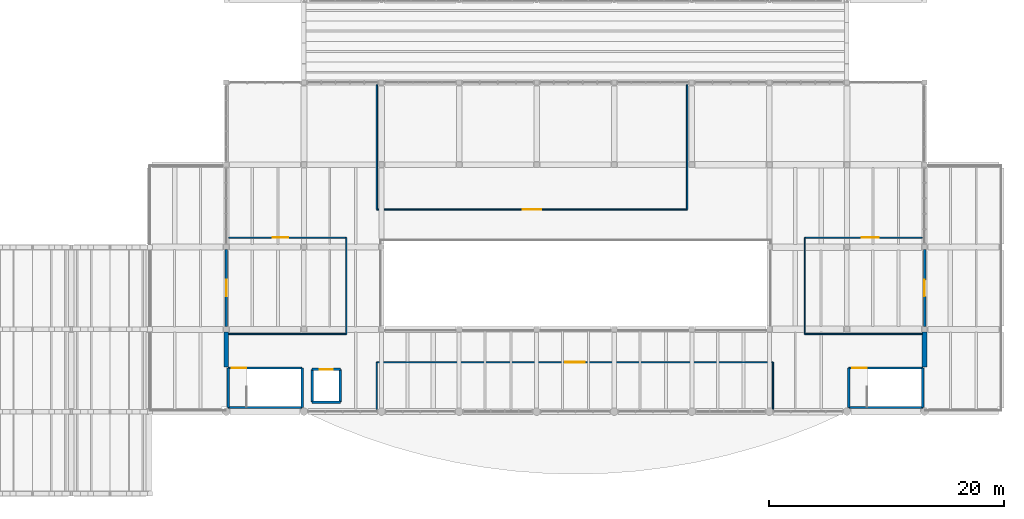
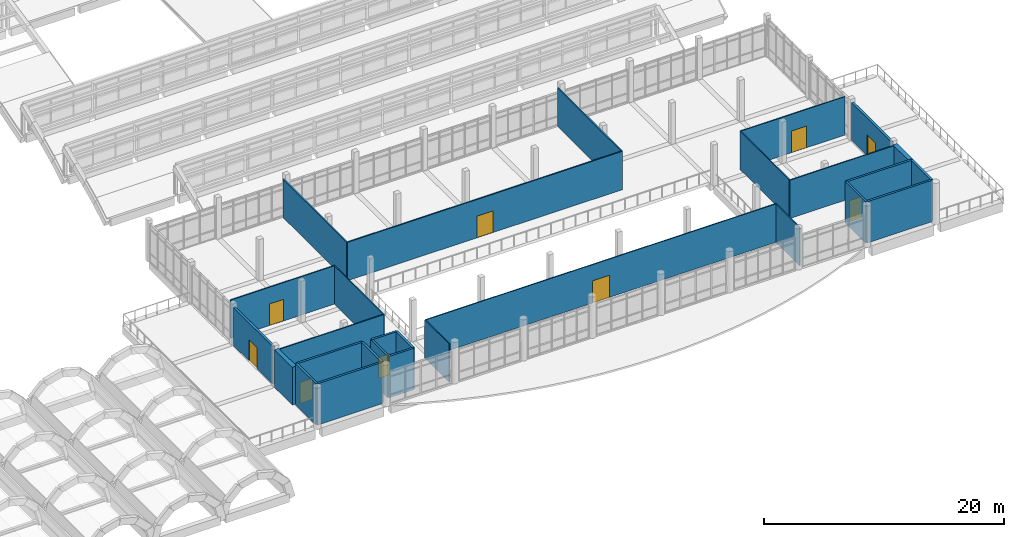
# One storey, part 86 of 92: 28 walls, 9 doors, 9 openings.
"""IFC4 building model written with IfcOpenShell, lengths in metres."""

import ifcopenshell
import ifcopenshell.guid

model = None  # the IFC model being written
_history = None  # IfcOwnerHistory: only IFC2X3 demands one
_inside = {}  # id of a spatial element -> (the spatial element, [elements in it])
_under = {}  # id of a project, library or spatial element -> (it, [spatial elements below it])
_declared = {}  # id of a project -> (the project, [libraries it declares])
_typed = {}  # id of a type object -> (the type object, [elements of that type])
_made_of = {}  # id of a material, layer set ... -> (it, [elements and type objects made of it])


def new_model(schema):
    """Start an empty IFC model of exactly this schema.

    Asked for "IFC4X3", IfcOpenShell would pick the latest addendum, in which some entities
    have other attributes; the version numbers below select the first issue.
    IFC2X3 requires an IfcOwnerHistory on every rooted entity: one is made here for all.
    """
    global model, _history
    if schema == "IFC4X3":
        model = ifcopenshell.file(schema_version=(4, 3, 0, 0))
    else:
        model = ifcopenshell.file(schema=schema)
    _inside.clear()
    _under.clear()
    _declared.clear()
    _typed.clear()
    _made_of.clear()
    _history = None
    if model.schema == "IFC2X3":
        org = make("IfcOrganization", Name="unknown")
        user = make(
            "IfcPersonAndOrganization",
            ThePerson=make("IfcPerson", FamilyName="unknown"),
            TheOrganization=org,
        )
        app = make(
            "IfcApplication",
            ApplicationDeveloper=org,
            Version="unknown",
            ApplicationFullName="unknown",
            ApplicationIdentifier="unknown",
        )
        _history = make(
            "IfcOwnerHistory",
            OwningUser=user,
            OwningApplication=app,
            ChangeAction="ADDED",
            CreationDate=0,
        )
    return model


def make(cls, **values):
    """One entity of the class cls with the attributes given. An attribute that is None is left unset."""
    return model.create_entity(
        cls, **{name: value for name, value in values.items() if value is not None}
    )


def rooted(cls, **values):
    """An entity with a GlobalId (a new one), such as an element, a storey or a relation."""
    return make(cls, GlobalId=ifcopenshell.guid.new(), OwnerHistory=_history, **values)


def si_unit(unit_type, name, prefix=None):
    """IfcSIUnit, for example si_unit("LENGTHUNIT", "METRE", prefix="MILLI")."""
    return make("IfcSIUnit", UnitType=unit_type, Prefix=prefix, Name=name)


def assignment(units):
    """IfcUnitAssignment: the units of a project."""
    return None if units is None else make("IfcUnitAssignment", Units=units)


def point(xyz):
    """IfcCartesianPoint."""
    return None if xyz is None else make("IfcCartesianPoint", Coordinates=xyz)


def direction(xyz):
    """IfcDirection."""
    return None if xyz is None else make("IfcDirection", DirectionRatios=xyz)


def frame(location, z_axis=None, x_axis=None):
    """IfcAxis2Placement3D, a coordinate frame: its origin and axes. An axis left out is left unset."""
    return make(
        "IfcAxis2Placement3D",
        Location=point(location),
        Axis=direction(z_axis),
        RefDirection=direction(x_axis),
    )


def frame_2d(location, x_axis=None):
    """IfcAxis2Placement2D, a coordinate frame in the plane: its origin and x axis."""
    return make(
        "IfcAxis2Placement2D", Location=point(location), RefDirection=direction(x_axis)
    )


def origin():
    """The frame at (0, 0, 0) with its axes left unset."""
    return frame((0.0, 0.0, 0.0))


def place(relative_to, where):
    """IfcLocalPlacement: puts the frame where relative to a parent placement (None: the world)."""
    return make(
        "IfcLocalPlacement", PlacementRelTo=relative_to, RelativePlacement=where
    )


def context(
    kind, dimensions, precision=None, world=None, true_north=None, identifier=None
):
    """IfcGeometricRepresentationContext, for example the 3D "Model" context."""
    return make(
        "IfcGeometricRepresentationContext",
        ContextIdentifier=identifier,
        ContextType=kind,
        CoordinateSpaceDimension=dimensions,
        Precision=precision,
        WorldCoordinateSystem=world,
        TrueNorth=true_north,
    )


def subcontext(parent, identifier, kind, view, scale=None):
    """IfcGeometricRepresentationSubContext, for example "Body" below "Model"."""
    return make(
        "IfcGeometricRepresentationSubContext",
        ContextIdentifier=identifier,
        ContextType=kind,
        ParentContext=parent,
        TargetScale=scale,
        TargetView=view,
    )


def project(units=None, contexts=None):
    """IfcProject with its units and contexts."""
    return rooted(
        "IfcProject",
        Name="project",
        RepresentationContexts=contexts,
        UnitsInContext=assignment(units),
    )


def spatial(cls, under=None, at=None, **own):
    """A site, building, storey or space (cls), placed at a placement, below another one or the project."""
    s = rooted(cls, ObjectPlacement=at, **own)
    if under is not None:
        _under.setdefault(under.id(), (under, []))[1].append(s)
    return s


def profile(cls, at=None, kind="AREA", **sizes):
    """A parametric profile (cls). Its sizes go by their IFC names, for example OverallWidth=200.0."""
    return make(cls, ProfileType=kind, Position=at, **sizes)


def rectangle(**sizes):
    """IfcRectangleProfileDef."""
    return profile("IfcRectangleProfileDef", **sizes)


def extrude(swept, where, along, depth):
    """IfcExtrudedAreaSolid: the profile swept, set in the frame where, extruded along a direction by depth."""
    return make(
        "IfcExtrudedAreaSolid",
        SweptArea=swept,
        Position=where,
        ExtrudedDirection=direction(along),
        Depth=depth,
    )


def shape(context_of_items, identifier, shape_type, items):
    """IfcShapeRepresentation: the items that make up one representation, for example the "Body"."""
    return make(
        "IfcShapeRepresentation",
        ContextOfItems=context_of_items,
        RepresentationIdentifier=identifier,
        RepresentationType=shape_type,
        Items=items,
    )


def material(Name=None, Category=None):
    """IfcMaterial."""
    return make("IfcMaterial", Name=Name, Category=Category)


def layer(
    of_material, thickness, ventilated=None, Name=None, Category=None, Priority=None
):
    """IfcMaterialLayer: one layer of a wall or slab, of a material (None: an air gap)."""
    return make(
        "IfcMaterialLayer",
        Material=of_material,
        LayerThickness=thickness,
        IsVentilated=ventilated,
        Name=Name,
        Category=Category,
        Priority=Priority,
    )


def layer_set(layers, Name=None):
    """IfcMaterialLayerSet."""
    return make("IfcMaterialLayerSet", MaterialLayers=layers, LayerSetName=Name)


def made_of(thing, what):
    """Note that an element or type object is made of a material, layer set ...; save() writes the relation."""
    if what is not None:
        _made_of.setdefault(what.id(), (what, []))[1].append(thing)
    return thing


def type_object(cls, material=None, **own):
    """A type object (cls), such as IfcWallType, which elements share."""
    return made_of(rooted(cls, **own), material)


def element(
    cls,
    number,
    at=None,
    inside=None,
    cuts=None,
    type_object=None,
    material=None,
    context=None,
    identifier="Body",
    shape_type=None,
    held_by="IfcProductDefinitionShape",
    body=None,
    shapes=None,
    **own,
):
    """One element of the class cls, such as IfcWall. Its Tag is "e" and its number.

    at: its placement. inside: the storey or other place that contains it. cuts: it is an
    opening in that element (IfcRelVoidsElement). A single representation is given by context,
    identifier, shape_type and body (its items); several are given by shapes. held_by: the class
    of the entity that holds the representations. save() writes the other relations.
    """
    e = rooted(cls, Tag="e%d" % number, ObjectPlacement=at, **own)
    if body is not None:
        shapes = [shape(context, identifier, shape_type, body)]
    if shapes is not None:
        e.Representation = make(held_by, Representations=shapes)
    if inside is not None:
        _inside.setdefault(inside.id(), (inside, []))[1].append(e)
    if cuts is not None:
        rooted(
            "IfcRelVoidsElement", RelatingBuildingElement=cuts, RelatedOpeningElement=e
        )
    if type_object is not None:
        _typed.setdefault(type_object.id(), (type_object, []))[1].append(e)
    return made_of(e, material)


def fill(opening, filler):
    """IfcRelFillsElement: the door or window that sits in an opening."""
    return rooted(
        "IfcRelFillsElement",
        RelatingOpeningElement=opening,
        RelatedBuildingElement=filler,
    )


def aggregate(whole, parts):
    """IfcRelAggregates: a whole, such as a stair, and the parts it consists of."""
    return rooted("IfcRelAggregates", RelatingObject=whole, RelatedObjects=parts)


def save(model, path):
    """Write the relations noted so far, then the file.

    IfcRelAggregates (storeys below a building ...), IfcRelContainedInSpatialStructure (elements
    in a storey), IfcRelDefinesByType, IfcRelAssociatesMaterial and IfcRelDeclares: one each for
    every whole, place, type object, material and project.
    """
    for whole, parts in _under.values():
        aggregate(whole, parts)
    for where, things in _inside.values():
        rooted(
            "IfcRelContainedInSpatialStructure",
            RelatedElements=things,
            RelatingStructure=where,
        )
    for kind, things in _typed.values():
        rooted("IfcRelDefinesByType", RelatedObjects=things, RelatingType=kind)
    for what, things in _made_of.values():
        rooted("IfcRelAssociatesMaterial", RelatedObjects=things, RelatingMaterial=what)
    for by, libraries in _declared.values():
        rooted("IfcRelDeclares", RelatingContext=by, RelatedDefinitions=libraries)
    model.write(path)


model = new_model("IFC4")

# Units and contexts
model_context = context("Model", 3, precision=1e-05, world=origin(), true_north=direction((0.0, 1.0)))
body_context = subcontext(model_context, "Body", "Model", "MODEL_VIEW")
ifc_project = project(units=[si_unit("LENGTHUNIT", "METRE"), si_unit("AREAUNIT", "SQUARE_METRE"), si_unit("VOLUMEUNIT", "CUBIC_METRE"), si_unit("PLANEANGLEUNIT", "RADIAN"), si_unit("MASSUNIT", "GRAM", prefix="KILO")], contexts=[model_context])

# Site, building, storey
site_placement = place(None, origin())
site = spatial("IfcSite", under=ifc_project, at=site_placement, CompositionType="ELEMENT")
building_placement = place(site_placement, origin())
building = spatial("IfcBuilding", under=site, at=building_placement, Name="Ciguamira Faculty of Natural Sciences", CompositionType="ELEMENT")
storey_placement = place(building_placement, frame((0.0, 0.0, 16.800048828125)))
storey = spatial("IfcBuildingStorey", under=building, at=storey_placement, Name="L04", CompositionType="ELEMENT", Elevation=16.800048828125)

# Wall, opening, door
ifc_material_1 = material(Name="Precast concrete C40/50", Category="concrete")
ifc_layer_1 = layer(ifc_material_1, 0.219970703125, Name="Precast concrete C40/50")
ifc_layer_set_1 = layer_set([ifc_layer_1], Name="Precast concrete C40/50")
wall_type_1 = type_object("IfcWallType", Name="ExtWall_EW-03_220", PredefinedType="SOLIDWALL", material=ifc_layer_set_1)
wall_1_placement = place(storey_placement, frame((57.300048828125, 17.22509765625, 0.0), z_axis=(0.0, 0.0, 1.0), x_axis=(0.0, 1.0, 0.0)))
wall_1 = element("IfcWall", 1, at=wall_1_placement, inside=storey, type_object=wall_type_1, Name="L04 exterior wall 0326", PredefinedType="SOLIDWALL", context=body_context, shape_type="SweptSolid", body=[
    extrude(rectangle(XDim=6.5498046875, YDim=0.219970703125, at=frame_2d((3.27490234375, 0.0))), origin(), (0.0, 0.0, 1.0), 3.849853515625),
])
opening_1_placement = place(wall_1_placement, frame((2.574951171875, 0.0, 0.0)))
opening_1 = element("IfcOpeningElement", 2, at=opening_1_placement, cuts=wall_1, Name="Opening ED-06", PredefinedType="OPENING", context=body_context, shape_type="SweptSolid", body=[
    extrude(rectangle(XDim=1.39990234375, YDim=2.14990234375, at=frame_2d((0.699951171875, 1.074951171875))), frame((0.0, 0.119873046875, 0.0), z_axis=(0.0, -1.0, 0.0), x_axis=(1.0, 0.0, 0.0)), (0.0, 0.0, 1.0), 0.239990234375),
])
ifc_material_2 = material(Name="Loggia terrace access door")
door_type_1 = type_object("IfcDoorType", Name="ExtDoor_ED-06_1400x2150", OperationType="NOTDEFINED", PredefinedType="DOOR", material=ifc_material_2)
door_1_placement = place(opening_1_placement, origin())
door_1 = element("IfcDoor", 3, at=door_1_placement, inside=storey, type_object=door_type_1, Name="Atrium West Botanical Terrace Door", OperationType="SINGLE_SWING_LEFT", OverallHeight=2.14990234375, OverallWidth=1.39990234375, PredefinedType="DOOR", context=body_context, shape_type="SweptSolid", body=[
    extrude(rectangle(XDim=1.39990234375, YDim=2.14990234375, at=frame_2d((0.699951171875, 1.074951171875))), frame((0.0, 0.02490234375, 0.0), z_axis=(0.0, -1.0, 0.0), x_axis=(1.0, 0.0, 0.0)), (0.0, 0.0, 1.0), 0.050048828125),
])
fill(opening_1, door_1)

wall_2_placement = place(storey_placement, frame((116.699951171875, 17.22509765625, 0.0), z_axis=(0.0, 0.0, 1.0), x_axis=(0.0, 1.0, 0.0)))
wall_2 = element("IfcWall", 4, at=wall_2_placement, inside=storey, type_object=wall_type_1, Name="L04 exterior wall 0334", PredefinedType="SOLIDWALL", context=body_context, shape_type="SweptSolid", body=[
    extrude(rectangle(XDim=6.5498046875, YDim=0.219970703125, at=frame_2d((3.27490234375, 0.0))), origin(), (0.0, 0.0, 1.0), 3.849853515625),
])
opening_2_placement = place(wall_2_placement, frame((2.574951171875, 0.0, 0.0)))
opening_2 = element("IfcOpeningElement", 5, at=opening_2_placement, cuts=wall_2, Name="Opening ED-06", PredefinedType="OPENING", context=body_context, shape_type="SweptSolid", body=[
    extrude(rectangle(XDim=1.39990234375, YDim=2.14990234375, at=frame_2d((0.699951171875, 1.074951171875))), frame((0.0, 0.119873046875, 0.0), z_axis=(0.0, -1.0, 0.0), x_axis=(1.0, 0.0, 0.0)), (0.0, 0.0, 1.0), 0.239990234375),
])
door_2_placement = place(opening_2_placement, frame((1.39990234375, 0.0, 0.0), z_axis=(0.0, 0.0, 1.0), x_axis=(-1.0, 0.0, 0.0)))
door_2 = element("IfcDoor", 6, at=door_2_placement, inside=storey, type_object=door_type_1, Name="Atrium East Botanical Terrace Door", OperationType="SINGLE_SWING_LEFT", OverallHeight=2.14990234375, OverallWidth=1.39990234375, PredefinedType="DOOR", context=body_context, shape_type="SweptSolid", body=[
    extrude(rectangle(XDim=1.39990234375, YDim=2.14990234375, at=frame_2d((0.699951171875, 1.074951171875))), frame((0.0, 0.02490234375, 0.0), z_axis=(0.0, -1.0, 0.0), x_axis=(1.0, 0.0, 0.0)), (0.0, 0.0, 1.0), 0.050048828125),
])
fill(opening_2, door_2)

# Walls
ifc_material_3 = material(Name="Concrete C40/50", Category="concrete")
ifc_layer_2 = layer(ifc_material_3, 0.39990234375, Name="Concrete C40/50")
ifc_layer_set_2 = layer_set([ifc_layer_2], Name="Concrete C40/50")
wall_type_2 = type_object("IfcWallType", Name="ExtWall_RW-02_400", PredefinedType="SHEAR", material=ifc_layer_set_2)
for number, where, z_axis, x_axis, name in (
    (7, (57.300048828125, 13.81005859375, 0.0), (0.0, 0.0, 1.0), (0.0, 1.0, 0.0), "L04 exterior wall 0325"),
    (8, (116.699951171875, 13.81005859375, 0.0), (0.0, 0.0, 1.0), (0.0, 1.0, 0.0), "L04 exterior wall 0333"),
):
    element("IfcWall", number, at=place(storey_placement, frame(where, z_axis=z_axis, x_axis=x_axis)), inside=storey, type_object=wall_type_2, Name=name, PredefinedType="SHEAR", context=body_context, shape_type="SweptSolid", body=[
        extrude(rectangle(XDim=2.96484375, YDim=0.39990234375, at=frame_2d((1.482421875, 0.0))), origin(), (0.0, 0.0, 1.0), 3.849853515625),
    ])
ifc_layer_3 = layer(ifc_material_3, 0.199951171875, Name="Concrete C40/50")
ifc_layer_set_3 = layer_set([ifc_layer_3], Name="Concrete C40/50")
wall_type_3 = type_object("IfcWallType", Name="IntWall_CW-S20_200", PredefinedType="SHEAR", material=ifc_layer_set_3)
wall_3_placement = place(storey_placement, frame((57.449951171875, 10.35009765625, 0.0), z_axis=(0.0, 0.0, 1.0), x_axis=(1.0, 0.0, 0.0)))
element("IfcWall", 9, at=wall_3_placement, inside=storey, type_object=wall_type_3, Name="L04 ST-A1 core shear wall south", PredefinedType="SHEAR", context=body_context, shape_type="SweptSolid", body=[
    extrude(rectangle(XDim=6.300048828125, YDim=0.199951171875, at=frame_2d((3.14990234375, 0.0))), origin(), (0.0, 0.0, 1.0), 4.199951171875),
])

# Wall, opening, door
wall_4_placement = place(storey_placement, frame((57.449951171875, 13.7099609375, 0.0), z_axis=(0.0, 0.0, 1.0), x_axis=(1.0, 0.0, 0.0)))
wall_4 = element("IfcWall", 10, at=wall_4_placement, inside=storey, type_object=wall_type_3, Name="L04 ST-A1 core shear wall north", PredefinedType="SHEAR", context=body_context, shape_type="SweptSolid", body=[
    extrude(rectangle(XDim=6.300048828125, YDim=0.199951171875, at=frame_2d((3.14990234375, 0.0))), origin(), (0.0, 0.0, 1.0), 4.199951171875),
])
opening_3_placement = place(wall_4_placement, frame((0.320068359375, 0.0, 0.0)))
opening_3 = element("IfcOpeningElement", 11, at=opening_3_placement, cuts=wall_4, Name="Opening ID-14", PredefinedType="OPENING", context=body_context, shape_type="SweptSolid", body=[
    extrude(rectangle(XDim=1.199951171875, YDim=2.14990234375, at=frame_2d((0.60009765625, 1.074951171875))), frame((0.0, 0.10986328125, 0.0), z_axis=(0.0, -1.0, 0.0), x_axis=(1.0, 0.0, 0.0)), (0.0, 0.0, 1.0), 0.219970703125),
])
ifc_material_4 = material(Name="Protected exit stair fire door")
door_type_2 = type_object("IfcDoorType", Name="IntDoor_ID-14_1200x2150", OperationType="NOTDEFINED", PredefinedType="DOOR", material=ifc_material_4)
door_3_placement = place(opening_3_placement, frame((1.199951171875, 0.0, 0.0), z_axis=(0.0, 0.0, 1.0), x_axis=(-1.0, 0.0, 0.0)))
door_3 = element("IfcDoor", 12, at=door_3_placement, inside=storey, type_object=door_type_2, Name="L04 ST-A1 exit stair fire door", OperationType="SINGLE_SWING_RIGHT", OverallHeight=2.14990234375, OverallWidth=1.199951171875, PredefinedType="DOOR", context=body_context, shape_type="SweptSolid", body=[
    extrude(rectangle(XDim=1.199951171875, YDim=2.14990234375, at=frame_2d((0.60009765625, 1.074951171875))), frame((0.0, 0.02490234375, 0.0), z_axis=(0.0, -1.0, 0.0), x_axis=(1.0, 0.0, 0.0)), (0.0, 0.0, 1.0), 0.050048828125),
])
fill(opening_3, door_3)

# Walls
for number, where, z_axis, x_axis, name in (
    (13, (57.449951171875, 10.35009765625, 0.0), (0.0, 0.0, 1.0), (0.0, 1.0, 0.0), "L04 ST-A1 core shear wall west"),
    (14, (63.75, 10.35009765625, 0.0), (0.0, 0.0, 1.0), (0.0, 1.0, 0.0), "L04 ST-A1 core shear wall east"),
):
    element("IfcWall", number, at=place(storey_placement, frame(where, z_axis=z_axis, x_axis=x_axis)), inside=storey, type_object=wall_type_3, Name=name, PredefinedType="SHEAR", context=body_context, shape_type="SweptSolid", body=[
        extrude(rectangle(XDim=3.35986328125, YDim=0.199951171875, at=frame_2d((1.679931640625, 0.0))), origin(), (0.0, 0.0, 1.0), 4.199951171875),
    ])
wall_5_placement = place(storey_placement, frame((110.25, 10.35009765625, 0.0), z_axis=(0.0, 0.0, 1.0), x_axis=(1.0, 0.0, 0.0)))
element("IfcWall", 15, at=wall_5_placement, inside=storey, type_object=wall_type_3, Name="L04 ST-A2 core shear wall south", PredefinedType="SHEAR", context=body_context, shape_type="SweptSolid", body=[
    extrude(rectangle(XDim=6.300048828125, YDim=0.199951171875, at=frame_2d((3.14990234375, 0.0))), origin(), (0.0, 0.0, 1.0), 4.199951171875),
])

# Wall, opening, door
wall_6_placement = place(storey_placement, frame((110.25, 13.7099609375, 0.0), z_axis=(0.0, 0.0, 1.0), x_axis=(1.0, 0.0, 0.0)))
wall_6 = element("IfcWall", 16, at=wall_6_placement, inside=storey, type_object=wall_type_3, Name="L04 ST-A2 core shear wall north", PredefinedType="SHEAR", context=body_context, shape_type="SweptSolid", body=[
    extrude(rectangle(XDim=6.300048828125, YDim=0.199951171875, at=frame_2d((3.14990234375, 0.0))), origin(), (0.0, 0.0, 1.0), 4.199951171875),
])
opening_4_placement = place(wall_6_placement, frame((0.320068359375, 0.0, 0.0)))
opening_4 = element("IfcOpeningElement", 17, at=opening_4_placement, cuts=wall_6, Name="Opening ID-14", PredefinedType="OPENING", context=body_context, shape_type="SweptSolid", body=[
    extrude(rectangle(XDim=1.199951171875, YDim=2.14990234375, at=frame_2d((0.60009765625, 1.074951171875))), frame((0.0, 0.10986328125, 0.0), z_axis=(0.0, -1.0, 0.0), x_axis=(1.0, 0.0, 0.0)), (0.0, 0.0, 1.0), 0.219970703125),
])
door_4_placement = place(opening_4_placement, frame((1.199951171875, 0.0, 0.0), z_axis=(0.0, 0.0, 1.0), x_axis=(-1.0, 0.0, 0.0)))
door_4 = element("IfcDoor", 18, at=door_4_placement, inside=storey, type_object=door_type_2, Name="L04 ST-A2 exit stair fire door", OperationType="SINGLE_SWING_LEFT", OverallHeight=2.14990234375, OverallWidth=1.199951171875, PredefinedType="DOOR", context=body_context, shape_type="SweptSolid", body=[
    extrude(rectangle(XDim=1.199951171875, YDim=2.14990234375, at=frame_2d((0.60009765625, 1.074951171875))), frame((0.0, 0.02490234375, 0.0), z_axis=(0.0, -1.0, 0.0), x_axis=(1.0, 0.0, 0.0)), (0.0, 0.0, 1.0), 0.050048828125),
])
fill(opening_4, door_4)

# Walls
for number, where, z_axis, x_axis, name in (
    (19, (110.25, 10.35009765625, 0.0), (0.0, 0.0, 1.0), (0.0, 1.0, 0.0), "L04 ST-A2 core shear wall west"),
    (20, (116.550048828125, 10.35009765625, 0.0), (0.0, 0.0, 1.0), (0.0, 1.0, 0.0), "L04 ST-A2 core shear wall east"),
):
    element("IfcWall", number, at=place(storey_placement, frame(where, z_axis=z_axis, x_axis=x_axis)), inside=storey, type_object=wall_type_3, Name=name, PredefinedType="SHEAR", context=body_context, shape_type="SweptSolid", body=[
        extrude(rectangle(XDim=3.35986328125, YDim=0.199951171875, at=frame_2d((1.679931640625, 0.0))), origin(), (0.0, 0.0, 1.0), 4.199951171875),
    ])
wall_7_placement = place(storey_placement, frame((64.60009765625, 10.800048828125, 0.0), z_axis=(0.0, 0.0, 1.0), x_axis=(1.0, 0.0, 0.0)))
element("IfcWall", 21, at=wall_7_placement, inside=storey, type_object=wall_type_3, Name="L04 EL-P3 hoistway wall south", PredefinedType="SHEAR", context=body_context, shape_type="SweptSolid", body=[
    extrude(rectangle(XDim=2.39990234375, YDim=0.199951171875, at=frame_2d((1.199951171875, 0.0))), origin(), (0.0, 0.0, 1.0), 4.199951171875),
])

# Wall, opening, door
wall_8_placement = place(storey_placement, frame((64.60009765625, 13.60009765625, 0.0), z_axis=(0.0, 0.0, 1.0), x_axis=(1.0, 0.0, 0.0)))
wall_8 = element("IfcWall", 22, at=wall_8_placement, inside=storey, type_object=wall_type_3, Name="L04 EL-P3 hoistway wall north", PredefinedType="SHEAR", context=body_context, shape_type="SweptSolid", body=[
    extrude(rectangle(XDim=2.39990234375, YDim=0.199951171875, at=frame_2d((1.199951171875, 0.0))), origin(), (0.0, 0.0, 1.0), 4.199951171875),
])
opening_5_placement = place(wall_8_placement, frame((0.64990234375, 0.0, 0.0)))
opening_5 = element("IfcOpeningElement", 23, at=opening_5_placement, cuts=wall_8, Name="Opening LD-01", PredefinedType="OPENING", context=body_context, shape_type="SweptSolid", body=[
    extrude(rectangle(XDim=1.10009765625, YDim=2.14990234375, at=frame_2d((0.550048828125, 1.074951171875))), frame((0.0, 0.10986328125, 0.0), z_axis=(0.0, -1.0, 0.0), x_axis=(1.0, 0.0, 0.0)), (0.0, 0.0, 1.0), 0.219970703125),
])
ifc_material_5 = material(Name="Passenger elevator sliding landing door")
door_type_3 = type_object("IfcDoorType", Name="LiftLandingDoor_LD-01_1100x2150", OperationType="SLIDING_TO_LEFT", PredefinedType="DOOR", material=ifc_material_5)
door_5_placement = place(opening_5_placement, origin())
door_5 = element("IfcDoor", 24, at=door_5_placement, inside=storey, type_object=door_type_3, Name="L04 EL-P3 elevator landing sliding door", OperationType="SLIDING_TO_LEFT", OverallHeight=2.14990234375, OverallWidth=1.10009765625, PredefinedType="DOOR", context=body_context, shape_type="SweptSolid", body=[
    extrude(rectangle(XDim=1.10009765625, YDim=2.14990234375, at=frame_2d((0.550048828125, 1.074951171875))), frame((0.0, 0.02490234375, 0.0), z_axis=(0.0, -1.0, 0.0), x_axis=(1.0, 0.0, 0.0)), (0.0, 0.0, 1.0), 0.050048828125),
])
fill(opening_5, door_5)

# Walls
for number, where, z_axis, x_axis, name in (
    (25, (64.60009765625, 10.800048828125, 0.0), (0.0, 0.0, 1.0), (0.0, 1.0, 0.0), "L04 EL-P3 hoistway wall west"),
    (26, (67.0, 10.800048828125, 0.0), (0.0, 0.0, 1.0), (0.0, 1.0, 0.0), "L04 EL-P3 hoistway wall east"),
):
    element("IfcWall", number, at=place(storey_placement, frame(where, z_axis=z_axis, x_axis=x_axis)), inside=storey, type_object=wall_type_3, Name=name, PredefinedType="SHEAR", context=body_context, shape_type="SweptSolid", body=[
        extrude(rectangle(XDim=2.800048828125, YDim=0.199951171875, at=frame_2d((1.39990234375, 0.0))), origin(), (0.0, 0.0, 1.0), 4.199951171875),
    ])
ifc_material_6 = material(Name="Fire-rated gypsum partition")
ifc_layer_4 = layer(ifc_material_6, 0.10009765625, Name="Fire-rated gypsum partition")
ifc_layer_set_4 = layer_set([ifc_layer_4], Name="Fire-rated gypsum partition")
wall_type_4 = type_object("IfcWallType", Name="IntWall_IW-A10_100", PredefinedType="PARTITIONING", material=ifc_layer_set_4)
wall_9_placement = place(storey_placement, frame((57.5, 16.60009765625, 0.0), z_axis=(0.0, 0.0, 1.0), x_axis=(1.0, 0.0, 0.0)))
element("IfcWall", 27, at=wall_9_placement, inside=storey, type_object=wall_type_4, Name="L04 Clerestory Botanical Terrace Lounge West partition south", PredefinedType="PARTITIONING", context=body_context, shape_type="SweptSolid", body=[
    extrude(rectangle(XDim=10.0, YDim=0.10009765625, at=frame_2d((5.0, 0.0))), origin(), (0.0, 0.0, 1.0), 3.89990234375),
])

# Wall, opening, door
wall_10_placement = place(storey_placement, frame((57.5, 24.800048828125, 0.0), z_axis=(0.0, 0.0, 1.0), x_axis=(1.0, 0.0, 0.0)))
wall_10 = element("IfcWall", 28, at=wall_10_placement, inside=storey, type_object=wall_type_4, Name="L04 Clerestory Botanical Terrace Lounge West partition north", PredefinedType="PARTITIONING", context=body_context, shape_type="SweptSolid", body=[
    extrude(rectangle(XDim=10.0, YDim=0.10009765625, at=frame_2d((5.0, 0.0))), origin(), (0.0, 0.0, 1.0), 3.89990234375),
])
opening_6_placement = place(wall_10_placement, frame((3.72509765625, 0.0, 0.0)))
opening_6 = element("IfcOpeningElement", 29, at=opening_6_placement, cuts=wall_10, Name="Opening ID-07", PredefinedType="OPENING", context=body_context, shape_type="SweptSolid", body=[
    extrude(rectangle(XDim=1.35009765625, YDim=2.199951171875, at=frame_2d((0.675048828125, 1.10009765625))), frame((0.0, 0.06005859375, 0.0), z_axis=(0.0, -1.0, 0.0), x_axis=(1.0, 0.0, 0.0)), (0.0, 0.0, 1.0), 0.1201171875),
])
ifc_material_7 = material(Name="Laboratory prep fire door")
door_type_4 = type_object("IfcDoorType", Name="IntDoor_ID-07_1350x2200", OperationType="NOTDEFINED", PredefinedType="DOOR", material=ifc_material_7)
door_6_placement = place(opening_6_placement, frame((1.35009765625, 0.0, 0.0), z_axis=(0.0, 0.0, 1.0), x_axis=(-1.0, 0.0, 0.0)))
door_6 = element("IfcDoor", 30, at=door_6_placement, inside=storey, type_object=door_type_4, Name="L04 Clerestory Botanical Terrace Lounge West door", OperationType="SINGLE_SWING_LEFT", OverallHeight=2.199951171875, OverallWidth=1.35009765625, PredefinedType="DOOR", context=body_context, shape_type="SweptSolid", body=[
    extrude(rectangle(XDim=1.35009765625, YDim=2.199951171875, at=frame_2d((0.675048828125, 1.10009765625))), frame((0.0, 0.02490234375, 0.0), z_axis=(0.0, -1.0, 0.0), x_axis=(1.0, 0.0, 0.0)), (0.0, 0.0, 1.0), 0.050048828125),
])
fill(opening_6, door_6)

# Walls
wall_11_placement = place(storey_placement, frame((67.5, 16.60009765625, 0.0), z_axis=(0.0, 0.0, 1.0), x_axis=(0.0, 1.0, 0.0)))
element("IfcWall", 31, at=wall_11_placement, inside=storey, type_object=wall_type_4, Name="L04 Clerestory Botanical Terrace Lounge West partition east", PredefinedType="PARTITIONING", context=body_context, shape_type="SweptSolid", body=[
    extrude(rectangle(XDim=8.199951171875, YDim=0.10009765625, at=frame_2d((4.10009765625, 0.0))), origin(), (0.0, 0.0, 1.0), 3.89990234375),
])
wall_12_placement = place(storey_placement, frame((106.5, 16.60009765625, 0.0), z_axis=(0.0, 0.0, 1.0), x_axis=(1.0, 0.0, 0.0)))
element("IfcWall", 32, at=wall_12_placement, inside=storey, type_object=wall_type_4, Name="L04 Clerestory Botanical Terrace Lounge East partition south", PredefinedType="PARTITIONING", context=body_context, shape_type="SweptSolid", body=[
    extrude(rectangle(XDim=10.0, YDim=0.10009765625, at=frame_2d((5.0, 0.0))), origin(), (0.0, 0.0, 1.0), 3.89990234375),
])

# Wall, opening, door
wall_13_placement = place(storey_placement, frame((106.5, 24.800048828125, 0.0), z_axis=(0.0, 0.0, 1.0), x_axis=(1.0, 0.0, 0.0)))
wall_13 = element("IfcWall", 33, at=wall_13_placement, inside=storey, type_object=wall_type_4, Name="L04 Clerestory Botanical Terrace Lounge East partition north", PredefinedType="PARTITIONING", context=body_context, shape_type="SweptSolid", body=[
    extrude(rectangle(XDim=10.0, YDim=0.10009765625, at=frame_2d((5.0, 0.0))), origin(), (0.0, 0.0, 1.0), 3.89990234375),
])
opening_7_placement = place(wall_13_placement, frame((4.875, 0.0, 0.0)))
opening_7 = element("IfcOpeningElement", 34, at=opening_7_placement, cuts=wall_13, Name="Opening ID-08", PredefinedType="OPENING", context=body_context, shape_type="SweptSolid", body=[
    extrude(rectangle(XDim=1.449951171875, YDim=2.199951171875, at=frame_2d((0.72509765625, 1.10009765625))), frame((0.0, 0.06005859375, 0.0), z_axis=(0.0, -1.0, 0.0), x_axis=(1.0, 0.0, 0.0)), (0.0, 0.0, 1.0), 0.1201171875),
])
ifc_material_8 = material(Name="Wet chemistry laboratory door")
door_type_5 = type_object("IfcDoorType", Name="IntDoor_ID-08_1450x2200", OperationType="NOTDEFINED", PredefinedType="DOOR", material=ifc_material_8)
door_7_placement = place(opening_7_placement, frame((1.449951171875, 0.0, 0.0), z_axis=(0.0, 0.0, 1.0), x_axis=(-1.0, 0.0, 0.0)))
door_7 = element("IfcDoor", 35, at=door_7_placement, inside=storey, type_object=door_type_5, Name="L04 Clerestory Botanical Terrace Lounge East door", OperationType="SINGLE_SWING_RIGHT", OverallHeight=2.199951171875, OverallWidth=1.449951171875, PredefinedType="DOOR", context=body_context, shape_type="SweptSolid", body=[
    extrude(rectangle(XDim=1.449951171875, YDim=2.199951171875, at=frame_2d((0.72509765625, 1.10009765625))), frame((0.0, 0.02490234375, 0.0), z_axis=(0.0, -1.0, 0.0), x_axis=(1.0, 0.0, 0.0)), (0.0, 0.0, 1.0), 0.050048828125),
])
fill(opening_7, door_7)

# Wall
wall_14_placement = place(storey_placement, frame((106.5, 16.60009765625, 0.0), z_axis=(0.0, 0.0, 1.0), x_axis=(0.0, 1.0, 0.0)))
element("IfcWall", 36, at=wall_14_placement, inside=storey, type_object=wall_type_4, Name="L04 Clerestory Botanical Terrace Lounge East partition west", PredefinedType="PARTITIONING", context=body_context, shape_type="SweptSolid", body=[
    extrude(rectangle(XDim=8.199951171875, YDim=0.10009765625, at=frame_2d((4.10009765625, 0.0))), origin(), (0.0, 0.0, 1.0), 3.89990234375),
])

# Wall, opening, door
wall_15_placement = place(storey_placement, frame((70.10009765625, 14.199951171875, 0.0), z_axis=(0.0, 0.0, 1.0), x_axis=(1.0, 0.0, 0.0)))
wall_15 = element("IfcWall", 37, at=wall_15_placement, inside=storey, type_object=wall_type_4, Name="L04 South Sky-Lit Overlook Gallery partition north", PredefinedType="PARTITIONING", context=body_context, shape_type="SweptSolid", body=[
    extrude(rectangle(XDim=33.699951171875, YDim=0.10009765625, at=frame_2d((16.85009765625, 0.0))), origin(), (0.0, 0.0, 1.0), 3.89990234375),
])
opening_8_placement = place(wall_15_placement, frame((16.02490234375, 0.0, 0.0)))
opening_8 = element("IfcOpeningElement", 38, at=opening_8_placement, cuts=wall_15, Name="Opening ID-10", PredefinedType="OPENING", context=body_context, shape_type="SweptSolid", body=[
    extrude(rectangle(XDim=1.64990234375, YDim=2.25, at=frame_2d((0.824951171875, 1.125))), frame((0.0, 0.06005859375, 0.0), z_axis=(0.0, -1.0, 0.0), x_axis=(1.0, 0.0, 0.0)), (0.0, 0.0, 1.0), 0.1201171875),
])
ifc_material_9 = material(Name="Reading hall double acoustic door")
door_type_6 = type_object("IfcDoorType", Name="IntDoor_ID-10_1650x2250", OperationType="NOTDEFINED", PredefinedType="DOOR", material=ifc_material_9)
door_8_placement = place(opening_8_placement, frame((1.64990234375, 0.0, 0.0), z_axis=(0.0, 0.0, 1.0), x_axis=(-1.0, 0.0, 0.0)))
door_8 = element("IfcDoor", 39, at=door_8_placement, inside=storey, type_object=door_type_6, Name="L04 South Sky-Lit Overlook Gallery door", OperationType="SINGLE_SWING_RIGHT", OverallHeight=2.25, OverallWidth=1.64990234375, PredefinedType="DOOR", context=body_context, shape_type="SweptSolid", body=[
    extrude(rectangle(XDim=1.64990234375, YDim=2.25, at=frame_2d((0.824951171875, 1.125))), frame((0.0, 0.02490234375, 0.0), z_axis=(0.0, -1.0, 0.0), x_axis=(1.0, 0.0, 0.0)), (0.0, 0.0, 1.0), 0.050048828125),
])
fill(opening_8, door_8)

# Walls
for number, where, z_axis, x_axis, name in (
    (40, (70.10009765625, 10.199951171875, 0.0), (0.0, 0.0, 1.0), (0.0, 1.0, 0.0), "L04 South Sky-Lit Overlook Gallery partition west"),
    (41, (103.800048828125, 10.199951171875, 0.0), (0.0, 0.0, 1.0), (0.0, 1.0, 0.0), "L04 South Sky-Lit Overlook Gallery partition east"),
):
    element("IfcWall", number, at=place(storey_placement, frame(where, z_axis=z_axis, x_axis=x_axis)), inside=storey, type_object=wall_type_4, Name=name, PredefinedType="PARTITIONING", context=body_context, shape_type="SweptSolid", body=[
        extrude(rectangle(XDim=4.0, YDim=0.10009765625, at=frame_2d((2.0, 0.0))), origin(), (0.0, 0.0, 1.0), 3.89990234375),
    ])

# Wall, opening, door
ifc_material_10 = material(Name="Acoustic double-stud gypsum partition")
ifc_layer_5 = layer(ifc_material_10, 0.1201171875, Name="Acoustic double-stud gypsum partition")
ifc_layer_set_5 = layer_set([ifc_layer_5], Name="Acoustic double-stud gypsum partition")
wall_type_5 = type_object("IfcWallType", Name="IntWall_IW-A12_120", PredefinedType="PARTITIONING", material=ifc_layer_set_5)
wall_16_placement = place(storey_placement, frame((70.10009765625, 27.199951171875, 0.0), z_axis=(0.0, 0.0, 1.0), x_axis=(1.0, 0.0, 0.0)))
wall_16 = element("IfcWall", 42, at=wall_16_placement, inside=storey, type_object=wall_type_5, Name="L04 Postgraduate Research Reading Seminar partition south", PredefinedType="PARTITIONING", context=body_context, shape_type="SweptSolid", body=[
    extrude(rectangle(XDim=26.39990234375, YDim=0.1201171875, at=frame_2d((13.199951171875, 0.0))), origin(), (0.0, 0.0, 1.0), 3.89990234375),
])
opening_9_placement = place(wall_16_placement, frame((12.425048828125, 0.0, 0.0)))
opening_9 = element("IfcOpeningElement", 43, at=opening_9_placement, cuts=wall_16, Name="Opening ID-09", PredefinedType="OPENING", context=body_context, shape_type="SweptSolid", body=[
    extrude(rectangle(XDim=1.550048828125, YDim=2.199951171875, at=frame_2d((0.77490234375, 1.10009765625))), frame((0.0, 0.070068359375, 0.0), z_axis=(0.0, -1.0, 0.0), x_axis=(1.0, 0.0, 0.0)), (0.0, 0.0, 1.0), 0.14013671875),
])
ifc_material_11 = material(Name="Teaching laboratory double door")
door_type_7 = type_object("IfcDoorType", Name="IntDoor_ID-09_1550x2200", OperationType="NOTDEFINED", PredefinedType="DOOR", material=ifc_material_11)
door_9_placement = place(opening_9_placement, origin())
door_9 = element("IfcDoor", 44, at=door_9_placement, inside=storey, type_object=door_type_7, Name="L04 Postgraduate Research Reading Seminar door", OperationType="SINGLE_SWING_LEFT", OverallHeight=2.199951171875, OverallWidth=1.550048828125, PredefinedType="DOOR", context=body_context, shape_type="SweptSolid", body=[
    extrude(rectangle(XDim=1.550048828125, YDim=2.199951171875, at=frame_2d((0.77490234375, 1.10009765625))), frame((0.0, 0.02490234375, 0.0), z_axis=(0.0, -1.0, 0.0), x_axis=(1.0, 0.0, 0.0)), (0.0, 0.0, 1.0), 0.050048828125),
])
fill(opening_9, door_9)

# Walls
for number, where, z_axis, x_axis, name in (
    (45, (70.10009765625, 27.199951171875, 0.0), (0.0, 0.0, 1.0), (0.0, 1.0, 0.0), "L04 Postgraduate Research Reading Seminar partition west"),
    (46, (96.5, 27.199951171875, 0.0), (0.0, 0.0, 1.0), (0.0, 1.0, 0.0), "L04 Postgraduate Research Reading Seminar partition east"),
):
    element("IfcWall", number, at=place(storey_placement, frame(where, z_axis=z_axis, x_axis=x_axis)), inside=storey, type_object=wall_type_5, Name=name, PredefinedType="PARTITIONING", context=body_context, shape_type="SweptSolid", body=[
        extrude(rectangle(XDim=10.60009765625, YDim=0.1201171875, at=frame_2d((5.300048828125, 0.0))), origin(), (0.0, 0.0, 1.0), 3.89990234375),
    ])

save(model, "model.ifc")
